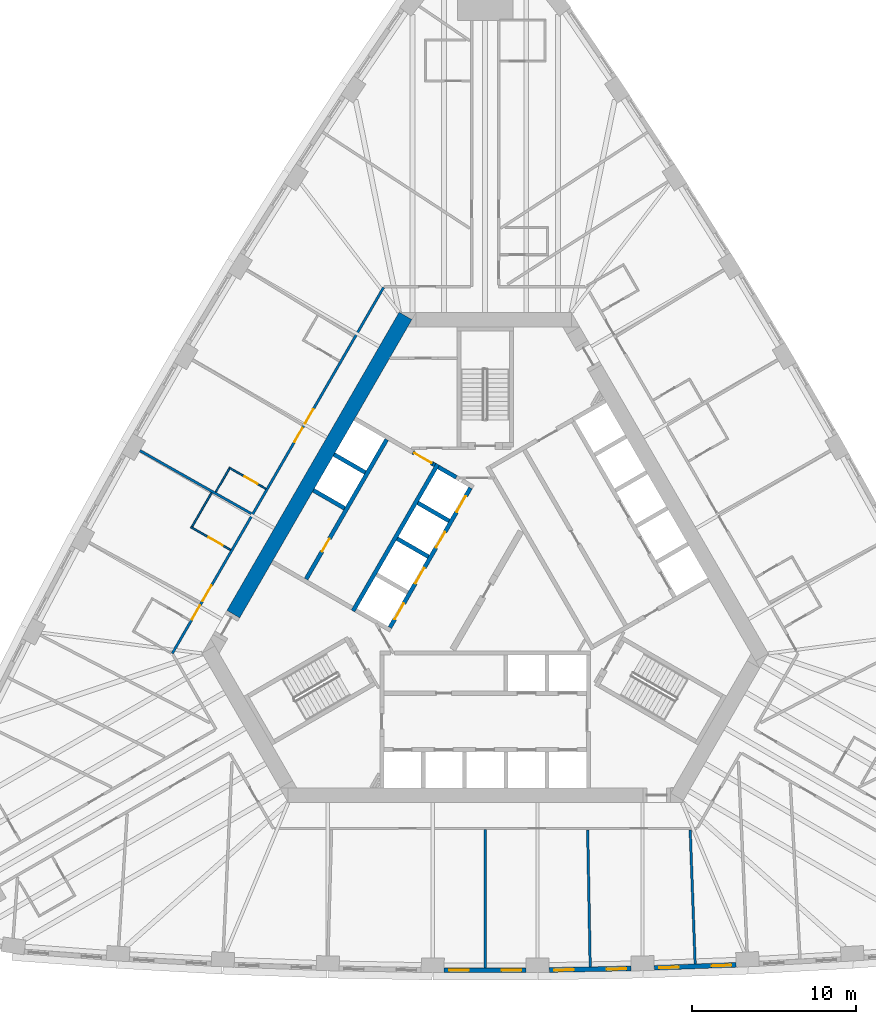
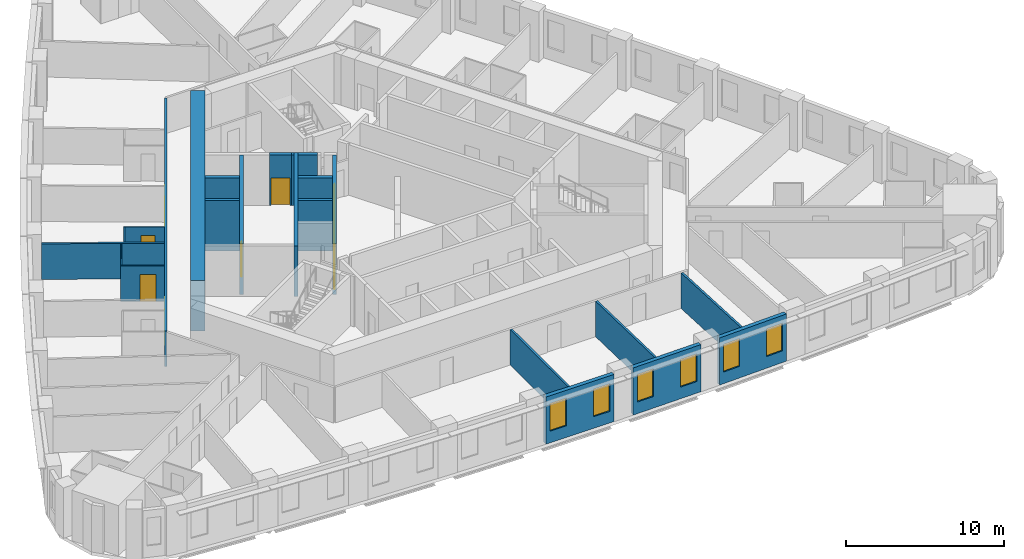
# One storey, part 5 of 12: 23 walls, 12 doors, 6 windows, 18 openings.
"""IFC4 building model written with IfcOpenShell, lengths in metres."""

from ifc_helpers import new_model, si_unit, direction, frame, frame_2d, origin, place, context, subcontext, project, spatial, polyline, rectangle, outline, extrude, material, layer, layer_set, type_object, element, fill, save


model = new_model("IFC4")

# Units and contexts
model_context = context("Model", 3, precision=1e-05, world=origin(), true_north=direction((0.0, 1.0)))
body_context = subcontext(model_context, "Body", "Model", "MODEL_VIEW")
ifc_project = project(units=[si_unit("LENGTHUNIT", "METRE"), si_unit("AREAUNIT", "SQUARE_METRE"), si_unit("VOLUMEUNIT", "CUBIC_METRE"), si_unit("PLANEANGLEUNIT", "RADIAN"), si_unit("MASSUNIT", "GRAM", prefix="KILO")], contexts=[model_context])

# Site, building, storey
site_placement = place(None, origin())
site = spatial("IfcSite", under=ifc_project, at=site_placement, CompositionType="ELEMENT")
building_placement = place(site_placement, origin())
building = spatial("IfcBuilding", under=site, at=building_placement, Name="Mestral Congress Tower", CompositionType="ELEMENT")
storey_placement = place(building_placement, frame((0.0, 0.0, 39.300048828125)))
storey = spatial("IfcBuildingStorey", under=building, at=storey_placement, Name="L08", CompositionType="ELEMENT", Elevation=39.300048828125)

# Wall
ifc_material_1 = material(Name="Concrete C60/75", Category="concrete")
ifc_layer_1 = layer(ifc_material_1, 0.89990234375)
ifc_layer_set_1 = layer_set([ifc_layer_1], Name="Concrete C60/75")
wall_type_1 = type_object("IfcWallType", Name="Core wall RC 900", PredefinedType="SOLIDWALL", material=ifc_layer_set_1)
wall_1_placement = place(storey_placement, frame((-15.359619140625, -1.50341796875, 0.0), z_axis=(0.0, 0.0, 1.0), x_axis=(0.50000389221, 0.866023156604, 0.0)))
element("IfcWall", 1, at=wall_1_placement, inside=storey, type_object=wall_type_1, Name="L08 core wall", PredefinedType="SOLIDWALL", context=body_context, shape_type="SweptSolid", body=[
    extrude(rectangle(XDim=21.000244140625, YDim=0.89990234375, at=frame_2d((10.5, 0.0))), origin(), (0.0, 0.0, 1.0), 3.89990234375),
])

# Wall, openings, windows
ifc_material_2 = material(Name="Precast concrete C40/50 with limestone facing", Category="masonry")
ifc_layer_2 = layer(ifc_material_2, 0.2900390625)
ifc_layer_set_2 = layer_set([ifc_layer_2], Name="Precast concrete C40/50 with limestone facing")
wall_type_2 = type_object("IfcWallType", Name="Facade stone wall 290", PredefinedType="SOLIDWALL", material=ifc_layer_set_2)
wall_2_placement = place(storey_placement, frame((-2.4990234375, -23.21826171875, 0.0), z_axis=(0.0, 0.0, 1.0), x_axis=(1.0, 0.0, 0.0)))
wall_2 = element("IfcWall", 2, at=wall_2_placement, inside=storey, type_object=wall_type_2, Name="Facade wall F0-04", PredefinedType="SOLIDWALL", context=body_context, shape_type="SweptSolid", body=[
    extrude(rectangle(XDim=4.998046875, YDim=0.2900390625, at=frame_2d((2.4990234375, 0.0))), origin(), (0.0, 0.0, 1.0), 3.64990234375),
])
opening_1_placement = place(wall_2_placement, frame((0.297119140625, 0.0, 0.89990234375)))
opening_1 = element("IfcOpeningElement", 3, at=opening_1_placement, cuts=wall_2, Name="Opening W1", PredefinedType="OPENING", context=body_context, shape_type="SweptSolid", body=[
    extrude(rectangle(XDim=1.199951171875, YDim=2.14990234375, at=frame_2d((0.60009765625, 1.074951171875))), frame((0.0, 0.155029296875, 0.0), z_axis=(0.0, -1.0, 0.0), x_axis=(1.0, 0.0, 0.0)), (0.0, 0.0, 1.0), 0.31005859375),
])
opening_2_placement = place(wall_2_placement, frame((3.501220703125, 0.0, 0.89990234375)))
opening_2 = element("IfcOpeningElement", 4, at=opening_2_placement, cuts=wall_2, Name="Opening W1", PredefinedType="OPENING", context=body_context, shape_type="SweptSolid", body=[
    extrude(rectangle(XDim=1.199951171875, YDim=2.14990234375, at=frame_2d((0.60009765625, 1.074951171875))), frame((0.0, 0.155029296875, 0.0), z_axis=(0.0, -1.0, 0.0), x_axis=(1.0, 0.0, 0.0)), (0.0, 0.0, 1.0), 0.31005859375),
])
ifc_material_3 = material(Name="Clear low-emissivity double glazing", Category="glass")
window_type = type_object("IfcWindowType", Name="Facade punched window 1200 x 2150 sill 900", PartitioningType="DOUBLE_PANEL_VERTICAL", PredefinedType="WINDOW", material=ifc_material_3)
window_1_placement = place(opening_1_placement, origin())
window_1 = element("IfcWindow", 5, at=window_1_placement, inside=storey, type_object=window_type, Name="Window F0-04a", OverallHeight=2.14990234375, OverallWidth=1.199951171875, PartitioningType="DOUBLE_PANEL_VERTICAL", PredefinedType="WINDOW", context=body_context, shape_type="SweptSolid", body=[
    extrude(rectangle(XDim=1.199951171875, YDim=2.14990234375, at=frame_2d((0.60009765625, 1.074951171875))), frame((0.0, 0.01513671875, 0.0), z_axis=(0.0, -1.0, 0.0), x_axis=(1.0, 0.0, 0.0)), (0.0, 0.0, 1.0), 0.06005859375),
])
fill(opening_1, window_1)
window_2_placement = place(opening_2_placement, origin())
window_2 = element("IfcWindow", 6, at=window_2_placement, inside=storey, type_object=window_type, Name="Window F0-04b", OverallHeight=2.14990234375, OverallWidth=1.199951171875, PartitioningType="DOUBLE_PANEL_VERTICAL", PredefinedType="WINDOW", context=body_context, shape_type="SweptSolid", body=[
    extrude(rectangle(XDim=1.199951171875, YDim=2.14990234375, at=frame_2d((0.60009765625, 1.074951171875))), frame((0.0, 0.01513671875, 0.0), z_axis=(0.0, -1.0, 0.0), x_axis=(1.0, 0.0, 0.0)), (0.0, 0.0, 1.0), 0.06005859375),
])
fill(opening_2, window_2)

wall_3_placement = place(storey_placement, frame((3.90625, -23.205078125, 0.0), z_axis=(0.0, 0.0, 1.0), x_axis=(0.999829529479, 0.018463801951, 0.0)))
wall_3 = element("IfcWall", 7, at=wall_3_placement, inside=storey, type_object=wall_type_2, Name="Facade wall F0-05", PredefinedType="SOLIDWALL", context=body_context, shape_type="SweptSolid", body=[
    extrude(rectangle(XDim=4.998046875, YDim=0.2900390625, at=frame_2d((2.4990234375, 0.0))), origin(), (0.0, 0.0, 1.0), 3.64990234375),
])
opening_3_placement = place(wall_3_placement, frame((0.297119140625, 0.0, 0.89990234375)))
opening_3 = element("IfcOpeningElement", 8, at=opening_3_placement, cuts=wall_3, Name="Opening W1", PredefinedType="OPENING", context=body_context, shape_type="SweptSolid", body=[
    extrude(rectangle(XDim=1.199951171875, YDim=2.14990234375, at=frame_2d((0.60009765625, 1.074951171875))), frame((0.0, 0.155029296875, 0.0), z_axis=(0.0, -1.0, 0.0), x_axis=(1.0, 0.0, 0.0)), (0.0, 0.0, 1.0), 0.31005859375),
])
opening_4_placement = place(wall_3_placement, frame((3.501220703125, 0.0, 0.89990234375)))
opening_4 = element("IfcOpeningElement", 9, at=opening_4_placement, cuts=wall_3, Name="Opening W1", PredefinedType="OPENING", context=body_context, shape_type="SweptSolid", body=[
    extrude(rectangle(XDim=1.199951171875, YDim=2.14990234375, at=frame_2d((0.60009765625, 1.074951171875))), frame((0.0, 0.155029296875, 0.0), z_axis=(0.0, -1.0, 0.0), x_axis=(1.0, 0.0, 0.0)), (0.0, 0.0, 1.0), 0.31005859375),
])
window_3_placement = place(opening_3_placement, origin())
window_3 = element("IfcWindow", 10, at=window_3_placement, inside=storey, type_object=window_type, Name="Window F0-05a", OverallHeight=2.14990234375, OverallWidth=1.199951171875, PartitioningType="DOUBLE_PANEL_VERTICAL", PredefinedType="WINDOW", context=body_context, shape_type="SweptSolid", body=[
    extrude(rectangle(XDim=1.199951171875, YDim=2.14990234375, at=frame_2d((0.60009765625, 1.074951171875))), frame((0.0, 0.01513671875, 0.0), z_axis=(0.0, -1.0, 0.0), x_axis=(1.0, 0.0, 0.0)), (0.0, 0.0, 1.0), 0.06005859375),
])
fill(opening_3, window_3)
window_4_placement = place(opening_4_placement, origin())
window_4 = element("IfcWindow", 11, at=window_4_placement, inside=storey, type_object=window_type, Name="Window F0-05b", OverallHeight=2.14990234375, OverallWidth=1.199951171875, PartitioningType="DOUBLE_PANEL_VERTICAL", PredefinedType="WINDOW", context=body_context, shape_type="SweptSolid", body=[
    extrude(rectangle(XDim=1.199951171875, YDim=2.14990234375, at=frame_2d((0.60009765625, 1.074951171875))), frame((0.0, 0.01513671875, 0.0), z_axis=(0.0, -1.0, 0.0), x_axis=(1.0, 0.0, 0.0)), (0.0, 0.0, 1.0), 0.06005859375),
])
fill(opening_4, window_4)

wall_4_placement = place(storey_placement, frame((10.310302734375, -23.07373046875, 0.0), z_axis=(0.0, 0.0, 1.0), x_axis=(0.999317974969, 0.036926750529, 0.0)))
wall_4 = element("IfcWall", 12, at=wall_4_placement, inside=storey, type_object=wall_type_2, Name="Facade wall F0-06", PredefinedType="SOLIDWALL", context=body_context, shape_type="SweptSolid", body=[
    extrude(rectangle(XDim=4.998291015625, YDim=0.2900390625, at=frame_2d((2.4990234375, 0.0))), origin(), (0.0, 0.0, 1.0), 3.64990234375),
])
opening_5_placement = place(wall_4_placement, frame((0.297119140625, 0.0, 0.89990234375)))
opening_5 = element("IfcOpeningElement", 13, at=opening_5_placement, cuts=wall_4, Name="Opening W1", PredefinedType="OPENING", context=body_context, shape_type="SweptSolid", body=[
    extrude(rectangle(XDim=1.199951171875, YDim=2.14990234375, at=frame_2d((0.60009765625, 1.074951171875))), frame((0.0, 0.155029296875, 0.0), z_axis=(0.0, -1.0, 0.0), x_axis=(1.0, 0.0, 0.0)), (0.0, 0.0, 1.0), 0.31005859375),
])
opening_6_placement = place(wall_4_placement, frame((3.501220703125, 0.0, 0.89990234375)))
opening_6 = element("IfcOpeningElement", 14, at=opening_6_placement, cuts=wall_4, Name="Opening W1", PredefinedType="OPENING", context=body_context, shape_type="SweptSolid", body=[
    extrude(rectangle(XDim=1.199951171875, YDim=2.14990234375, at=frame_2d((0.60009765625, 1.074951171875))), frame((0.0, 0.155029296875, 0.0), z_axis=(0.0, -1.0, 0.0), x_axis=(1.0, 0.0, 0.0)), (0.0, 0.0, 1.0), 0.31005859375),
])
window_5_placement = place(opening_5_placement, origin())
window_5 = element("IfcWindow", 15, at=window_5_placement, inside=storey, type_object=window_type, Name="Window F0-06a", OverallHeight=2.14990234375, OverallWidth=1.199951171875, PartitioningType="DOUBLE_PANEL_VERTICAL", PredefinedType="WINDOW", context=body_context, shape_type="SweptSolid", body=[
    extrude(rectangle(XDim=1.199951171875, YDim=2.14990234375, at=frame_2d((0.60009765625, 1.074951171875))), frame((0.0, 0.01513671875, 0.0), z_axis=(0.0, -1.0, 0.0), x_axis=(1.0, 0.0, 0.0)), (0.0, 0.0, 1.0), 0.06005859375),
])
fill(opening_5, window_5)
window_6_placement = place(opening_6_placement, origin())
window_6 = element("IfcWindow", 16, at=window_6_placement, inside=storey, type_object=window_type, Name="Window F0-06b", OverallHeight=2.14990234375, OverallWidth=1.199951171875, PartitioningType="DOUBLE_PANEL_VERTICAL", PredefinedType="WINDOW", context=body_context, shape_type="SweptSolid", body=[
    extrude(rectangle(XDim=1.199951171875, YDim=2.14990234375, at=frame_2d((0.60009765625, 1.074951171875))), frame((0.0, 0.01513671875, 0.0), z_axis=(0.0, -1.0, 0.0), x_axis=(1.0, 0.0, 0.0)), (0.0, 0.0, 1.0), 0.06005859375),
])
fill(opening_6, window_6)

# Wall, opening, door
ifc_material_4 = material(Name="Gypsum board partition on metal studs with mineral wool", Category="composite")
ifc_layer_3 = layer(ifc_material_4, 0.10009765625)
ifc_layer_set_3 = layer_set([ifc_layer_3], Name="Gypsum board partition on metal studs with mineral wool")
wall_type_3 = type_object("IfcWallType", Name="Hotel partition wall 100", PredefinedType="PARTITIONING", material=ifc_layer_set_3)
wall_5_placement = place(storey_placement, frame((-13.37255859375, 6.13818359375, 0.0), z_axis=(0.0, 0.0, 1.0), x_axis=(-0.866062058628, 0.499936506574, 0.0)))
wall_5 = element("IfcWall", 17, at=wall_5_placement, inside=storey, type_object=wall_type_3, Name="L08-h-pod22a", PredefinedType="PARTITIONING", context=body_context, shape_type="SweptSolid", body=[
    extrude(rectangle(XDim=2.599853515625, YDim=0.10009765625, at=frame_2d((1.2998046875, 0.0))), origin(), (0.0, 0.0, 1.0), 2.75),
])
opening_7_placement = place(wall_5_placement, frame((0.60009765625, 0.0, 0.0)))
opening_7 = element("IfcOpeningElement", 18, at=opening_7_placement, cuts=wall_5, Name="Opening H02-036", PredefinedType="OPENING", context=body_context, shape_type="SweptSolid", body=[
    extrude(rectangle(XDim=0.89990234375, YDim=2.10009765625, at=frame_2d((0.449951171875, 1.050048828125))), frame((0.0, 0.06005859375, 0.0), z_axis=(0.0, -1.0, 0.0), x_axis=(1.0, 0.0, 0.0)), (0.0, 0.0, 1.0), 0.1201171875),
])
ifc_material_5 = material(Name="Timber veneer door leaf in timber frame", Category="wood")
door_type_1 = type_object("IfcDoorType", Name="Bathroom door 900", OperationType="SINGLE_SWING_LEFT", PredefinedType="DOOR", material=ifc_material_5)
door_1_placement = place(opening_7_placement, origin())
door_1 = element("IfcDoor", 19, at=door_1_placement, inside=storey, type_object=door_type_1, Name="L08-h-d036", OperationType="SINGLE_SWING_LEFT", OverallHeight=2.10009765625, OverallWidth=0.89990234375, PredefinedType="DOOR", context=body_context, shape_type="SweptSolid", body=[
    extrude(rectangle(XDim=0.89990234375, YDim=2.10009765625, at=frame_2d((0.449951171875, 1.050048828125))), frame((0.0, 0.02490234375, 0.0), z_axis=(0.0, -1.0, 0.0), x_axis=(1.0, 0.0, 0.0)), (0.0, 0.0, 1.0), 0.050048828125),
])
fill(opening_7, door_1)

# Wall
wall_6_placement = place(storey_placement, frame((-15.60595703125, 7.369873046875, 0.0), z_axis=(0.0, 0.0, 1.0), x_axis=(-0.499974350878, -0.866040211805, 0.0)))
element("IfcWall", 20, at=wall_6_placement, inside=storey, type_object=wall_type_3, Name="L08-h-pod22b", PredefinedType="PARTITIONING", context=body_context, shape_type="SweptSolid", body=[
    extrude(rectangle(XDim=1.64990234375, YDim=0.10009765625, at=frame_2d((0.824951171875, 0.0))), origin(), (0.0, 0.0, 1.0), 2.75),
])

# Wall, opening, door
wall_7_placement = place(storey_placement, frame((-17.950927734375, 3.80810546875, 0.0), z_axis=(0.0, 0.0, 1.0), x_axis=(0.866034573852, -0.49998411664, 0.0)))
wall_7 = element("IfcWall", 21, at=wall_7_placement, inside=storey, type_object=wall_type_3, Name="L08-h-pod23a", PredefinedType="PARTITIONING", context=body_context, shape_type="SweptSolid", body=[
    extrude(rectangle(XDim=2.7998046875, YDim=0.10009765625, at=frame_2d((1.39990234375, 0.0))), origin(), (0.0, 0.0, 1.0), 2.75),
])
opening_8_placement = place(wall_7_placement, frame((1.25, 0.0, 0.0)))
opening_8 = element("IfcOpeningElement", 22, at=opening_8_placement, cuts=wall_7, Name="Opening H02-038", PredefinedType="OPENING", context=body_context, shape_type="SweptSolid", body=[
    extrude(rectangle(XDim=1.0, YDim=2.10009765625, at=frame_2d((0.5, 1.050048828125))), frame((0.0, 0.06005859375, 0.0), z_axis=(0.0, -1.0, 0.0), x_axis=(1.0, 0.0, 0.0)), (0.0, 0.0, 1.0), 0.1201171875),
])
door_type_2 = type_object("IfcDoorType", Name="Accessible bathroom door 1000", OperationType="SINGLE_SWING_LEFT", PredefinedType="DOOR", material=ifc_material_5)
door_2_placement = place(opening_8_placement, origin())
door_2 = element("IfcDoor", 23, at=door_2_placement, inside=storey, type_object=door_type_2, Name="L08-h-d038", OperationType="SINGLE_SWING_LEFT", OverallHeight=2.10009765625, OverallWidth=1.0, PredefinedType="DOOR", context=body_context, shape_type="SweptSolid", body=[
    extrude(rectangle(XDim=1.0, YDim=2.10009765625, at=frame_2d((0.5, 1.050048828125))), frame((0.0, 0.02490234375, 0.0), z_axis=(0.0, -1.0, 0.0), x_axis=(1.0, 0.0, 0.0)), (0.0, 0.0, 1.0), 0.050048828125),
])
fill(opening_8, door_2)

# Wall
wall_8_placement = place(storey_placement, frame((-17.877685546875, 3.835205078125, 0.0), z_axis=(0.0, 0.0, 1.0), x_axis=(0.500061428766, 0.865989934965, 0.0)))
element("IfcWall", 24, at=wall_8_placement, inside=storey, type_object=wall_type_3, Name="L08-h-pod23b", PredefinedType="PARTITIONING", context=body_context, shape_type="SweptSolid", body=[
    extrude(rectangle(XDim=2.389892578125, YDim=0.10009765625, at=frame_2d((1.19482421875, 0.0))), origin(), (0.0, 0.0, 1.0), 2.75),
])

# Wall, openings, doors
ifc_layer_4 = layer(ifc_material_4, 0.14990234375)
ifc_layer_set_4 = layer_set([ifc_layer_4], Name="Gypsum board partition on metal studs with mineral wool")
wall_type_4 = type_object("IfcWallType", Name="Hotel partition wall 150", PredefinedType="PARTITIONING", material=ifc_layer_set_4)
wall_9_placement = place(storey_placement, frame((-19.081298828125, -3.89990234375, 0.0), z_axis=(0.0, 0.0, 1.0), x_axis=(0.499998313975, 0.866026377209, 0.0)))
wall_9 = element("IfcWall", 25, at=wall_9_placement, inside=storey, type_object=wall_type_4, Name="L08-h-cw08", PredefinedType="PARTITIONING", context=body_context, shape_type="SweptSolid", body=[
    extrude(rectangle(XDim=25.76611328125, YDim=0.14990234375, at=frame_2d((12.883056640625, 0.0))), origin(), (0.0, 0.0, 1.0), 2.75),
])
opening_9_placement = place(wall_9_placement, frame((16.19580078125, 0.0, 0.0)))
opening_9 = element("IfcOpeningElement", 26, at=opening_9_placement, cuts=wall_9, Name="Opening H02-033", PredefinedType="OPENING", context=body_context, shape_type="SweptSolid", body=[
    extrude(rectangle(XDim=1.0, YDim=2.10009765625, at=frame_2d((0.5, 1.050048828125))), frame((0.0, 0.0849609375, 0.0), z_axis=(0.0, -1.0, 0.0), x_axis=(1.0, 0.0, 0.0)), (0.0, 0.0, 1.0), 0.169921875),
])
opening_10_placement = place(wall_9_placement, frame((14.888671875, 0.0, 0.0)))
opening_10 = element("IfcOpeningElement", 27, at=opening_10_placement, cuts=wall_9, Name="Opening H02-035", PredefinedType="OPENING", context=body_context, shape_type="SweptSolid", body=[
    extrude(rectangle(XDim=1.0, YDim=2.10009765625, at=frame_2d((0.5, 1.050048828125))), frame((0.0, 0.0849609375, 0.0), z_axis=(0.0, -1.0, 0.0), x_axis=(1.0, 0.0, 0.0)), (0.0, 0.0, 1.0), 0.169921875),
])
opening_11_placement = place(wall_9_placement, frame((3.6982421875, 0.0, 0.0)))
opening_11 = element("IfcOpeningElement", 28, at=opening_11_placement, cuts=wall_9, Name="Opening H02-037", PredefinedType="OPENING", context=body_context, shape_type="SweptSolid", body=[
    extrude(rectangle(XDim=1.10009765625, YDim=2.10009765625, at=frame_2d((0.550048828125, 1.050048828125))), frame((0.0, 0.0849609375, 0.0), z_axis=(0.0, -1.0, 0.0), x_axis=(1.0, 0.0, 0.0)), (0.0, 0.0, 1.0), 0.169921875),
])
opening_12_placement = place(wall_9_placement, frame((2.3916015625, 0.0, 0.0)))
opening_12 = element("IfcOpeningElement", 29, at=opening_12_placement, cuts=wall_9, Name="Opening H02-039", PredefinedType="OPENING", context=body_context, shape_type="SweptSolid", body=[
    extrude(rectangle(XDim=1.0, YDim=2.10009765625, at=frame_2d((0.5, 1.050048828125))), frame((0.0, 0.0849609375, 0.0), z_axis=(0.0, -1.0, 0.0), x_axis=(1.0, 0.0, 0.0)), (0.0, 0.0, 1.0), 0.169921875),
])
ifc_material_6 = material(Name="Timber veneer door leaf in metal frame", Category="wood")
door_type_3 = type_object("IfcDoorType", Name="Accessible room entrance door 1100", OperationType="SINGLE_SWING_LEFT", PredefinedType="DOOR", material=ifc_material_6)
door_3_placement = place(opening_11_placement, origin())
door_3 = element("IfcDoor", 30, at=door_3_placement, inside=storey, type_object=door_type_3, Name="L08-h-d037", OperationType="SINGLE_SWING_LEFT", OverallHeight=2.10009765625, OverallWidth=1.10009765625, PredefinedType="DOOR", context=body_context, shape_type="SweptSolid", body=[
    extrude(rectangle(XDim=1.10009765625, YDim=2.10009765625, at=frame_2d((0.550048828125, 1.050048828125))), frame((0.0, 0.02490234375, 0.0), z_axis=(0.0, -1.0, 0.0), x_axis=(1.0, 0.0, 0.0)), (0.0, 0.0, 1.0), 0.050048828125),
])
fill(opening_11, door_3)
door_type_4 = type_object("IfcDoorType", Name="Guest room entrance door 1000", OperationType="SINGLE_SWING_LEFT", PredefinedType="DOOR", material=ifc_material_6)
door_4_placement = place(opening_9_placement, origin())
door_4 = element("IfcDoor", 31, at=door_4_placement, inside=storey, type_object=door_type_4, Name="L08-h-d033", OperationType="SINGLE_SWING_LEFT", OverallHeight=2.10009765625, OverallWidth=1.0, PredefinedType="DOOR", context=body_context, shape_type="SweptSolid", body=[
    extrude(rectangle(XDim=1.0, YDim=2.10009765625, at=frame_2d((0.5, 1.050048828125))), frame((0.0, 0.02490234375, 0.0), z_axis=(0.0, -1.0, 0.0), x_axis=(1.0, 0.0, 0.0)), (0.0, 0.0, 1.0), 0.050048828125),
])
fill(opening_9, door_4)
door_5_placement = place(opening_10_placement, origin())
door_5 = element("IfcDoor", 32, at=door_5_placement, inside=storey, type_object=door_type_4, Name="L08-h-d035", OperationType="SINGLE_SWING_RIGHT", OverallHeight=2.10009765625, OverallWidth=1.0, PredefinedType="DOOR", context=body_context, shape_type="SweptSolid", body=[
    extrude(rectangle(XDim=1.0, YDim=2.10009765625, at=frame_2d((0.5, 1.050048828125))), frame((0.0, 0.02490234375, 0.0), z_axis=(0.0, -1.0, 0.0), x_axis=(1.0, 0.0, 0.0)), (0.0, 0.0, 1.0), 0.050048828125),
])
fill(opening_10, door_5)
door_6_placement = place(opening_12_placement, origin())
door_6 = element("IfcDoor", 33, at=door_6_placement, inside=storey, type_object=door_type_4, Name="L08-h-d039", OperationType="SINGLE_SWING_RIGHT", OverallHeight=2.10009765625, OverallWidth=1.0, PredefinedType="DOOR", context=body_context, shape_type="SweptSolid", body=[
    extrude(rectangle(XDim=1.0, YDim=2.10009765625, at=frame_2d((0.5, 1.050048828125))), frame((0.0, 0.02490234375, 0.0), z_axis=(0.0, -1.0, 0.0), x_axis=(1.0, 0.0, 0.0)), (0.0, 0.0, 1.0), 0.050048828125),
])
fill(opening_12, door_6)

# Walls
wall_10_placement = place(storey_placement, frame((-21.051513671875, 8.464111328125, 0.0), z_axis=(0.0, 0.0, 1.0), x_axis=(0.87059371954, -0.492002617368, 0.0)))
element("IfcWall", 34, at=wall_10_placement, inside=storey, type_object=wall_type_4, Name="L08-h-pw08", PredefinedType="PARTITIONING", context=body_context, shape_type="SweptSolid", body=[
    extrude(rectangle(XDim=7.803466796875, YDim=0.14990234375, at=frame_2d((3.90185546875, 0.0))), origin(), (0.0, 0.0, 1.0), 2.75),
])
wall_11_placement = place(storey_placement, frame((0.0, -23.0732421875, 0.0), z_axis=(0.0, 0.0, 1.0), x_axis=(0.0, 1.0, 0.0)))
element("IfcWall", 35, at=wall_11_placement, inside=storey, type_object=wall_type_4, Name="L08-h-pw14", PredefinedType="PARTITIONING", context=body_context, shape_type="SweptSolid", body=[
    extrude(rectangle(XDim=8.42333984375, YDim=0.14990234375, at=frame_2d((4.211669921875, 0.0))), origin(), (0.0, 0.0, 1.0), 2.75),
])
wall_12_placement = place(storey_placement, frame((6.40234375, -23.013916015625, 0.0), z_axis=(0.0, 0.0, 1.0), x_axis=(-0.01849587109, 0.999828936745, 0.0)))
element("IfcWall", 36, at=wall_12_placement, inside=storey, type_object=wall_type_4, Name="L08-h-pw17", PredefinedType="PARTITIONING", context=body_context, shape_type="SweptSolid", body=[
    extrude(rectangle(XDim=8.35546875, YDim=0.14990234375, at=frame_2d((4.177734375, 0.0))), origin(), (0.0, 0.0, 1.0), 2.75),
])
wall_13_placement = place(storey_placement, frame((12.802490234375, -22.83642578125, 0.0), z_axis=(0.0, 0.0, 1.0), x_axis=(-0.036969723281, 0.999316386116, 0.0)))
element("IfcWall", 37, at=wall_13_placement, inside=storey, type_object=wall_type_4, Name="L08-h-pw20", PredefinedType="PARTITIONING", context=body_context, shape_type="SweptSolid", body=[
    extrude(rectangle(XDim=8.18212890625, YDim=0.14990234375, at=frame_2d((4.091064453125, 0.0))), origin(), (0.0, 0.0, 1.0), 2.75),
])
ifc_layer_5 = layer(ifc_material_1, 0.25)
ifc_layer_set_5 = layer_set([ifc_layer_5], Name="Concrete C60/75")
wall_type_5 = type_object("IfcWallType", Name="Shaft wall RC 250", PredefinedType="SOLIDWALL", material=ifc_layer_set_5)
wall_14_placement = place(storey_placement, frame((-8.06005859375, -1.310546875, 0.0), z_axis=(0.0, 0.0, 1.0), x_axis=(0.50000273126, 0.866023826885, 0.0)))
element("IfcWall", 38, at=wall_14_placement, inside=storey, type_object=wall_type_5, Name="L08 core wall", PredefinedType="SOLIDWALL", context=body_context, shape_type="SweptSolid", body=[
    extrude(rectangle(XDim=10.330078125, YDim=0.25, at=frame_2d((5.1650390625, 0.0))), origin(), (0.0, 0.0, 1.0), 3.89990234375),
])
wall_15_placement = place(storey_placement, frame((-1.760009765625, 6.835693359375, 0.0), z_axis=(0.0, 0.0, 1.0), x_axis=(-0.865952863304, 0.500125622755, 0.0)))
element("IfcWall", 39, at=wall_15_placement, inside=storey, type_object=wall_type_5, Name="L08 core wall", PredefinedType="SOLIDWALL", context=body_context, shape_type="SweptSolid", body=[
    extrude(rectangle(XDim=1.258056640625, YDim=0.25, at=frame_2d((0.62890625, 0.0))), origin(), (0.0, 0.0, 1.0), 3.89990234375),
])
for number, where, z_axis, x_axis, name in (
    (40, (-2.2041015625, 4.182373046875, 0.0), (0.0, 0.0, 1.0), (-0.866008176907, 0.50002983664, 0.0), "L08 core wall"),
    (41, (-5.369384765625, 3.10009765625, 0.0), (0.0, 0.0, 1.0), (0.866008176907, -0.50002983664, 0.0), "L08 core wall"),
):
    element("IfcWall", number, at=place(storey_placement, frame(where, z_axis=z_axis, x_axis=x_axis)), inside=storey, type_object=wall_type_5, Name=name, PredefinedType="SOLIDWALL", context=body_context, shape_type="SweptSolid", body=[
        extrude(rectangle(XDim=2.199951171875, YDim=0.25, at=frame_2d((1.10009765625, 0.0))), origin(), (0.0, 0.0, 1.0), 3.89990234375),
    ])
wall_16_placement = place(storey_placement, origin())
element("IfcWall", 42, at=wall_16_placement, inside=storey, type_object=wall_type_5, Name="L08 core wall", PredefinedType="SOLIDWALL", context=body_context, shape_type="SweptSolid", body=[
    extrude(outline(polyline([(-3.12841796875, 7.4814453125), (-3.2587890625, 7.556640625), (-3.1337890625, 7.773193359375), (-3.00341796875, 7.697998046875), (-3.12841796875, 7.4814453125)])), origin(), (0.0, 0.0, 1.0), 3.89990234375),
])
for number, where, z_axis, x_axis, name in (
    (43, (-8.57373046875, 4.949951171875, 0.0), (0.0, 0.0, 1.0), (-0.866008176907, 0.50002983664, 0.0), "L08 core wall"),
    (44, (-7.313720703125, 7.13232421875, 0.0), (0.0, 0.0, 1.0), (-0.866008176907, 0.50002983664, 0.0), "L08 core wall"),
):
    element("IfcWall", number, at=place(storey_placement, frame(where, z_axis=z_axis, x_axis=x_axis)), inside=storey, type_object=wall_type_5, Name=name, PredefinedType="SOLIDWALL", context=body_context, shape_type="SweptSolid", body=[
        extrude(rectangle(XDim=2.199951171875, YDim=0.25, at=frame_2d((1.10009765625, 0.0))), origin(), (0.0, 0.0, 1.0), 3.89990234375),
    ])

# Wall, opening, door
wall_17_placement = place(storey_placement, frame((-6.0078125, 9.14404296875, 0.0), z_axis=(0.0, 0.0, 1.0), x_axis=(-0.500006956611, -0.866021387346, 0.0)))
wall_17 = element("IfcWall", 45, at=wall_17_placement, inside=storey, type_object=wall_type_5, Name="L08 door wall", PredefinedType="SOLIDWALL", context=body_context, shape_type="SweptSolid", body=[
    extrude(rectangle(XDim=9.829833984375, YDim=0.25, at=frame_2d((4.9150390625, 0.0))), origin(), (0.0, 0.0, 1.0), 3.89990234375),
])
opening_13_placement = place(wall_17_placement, frame((6.985107421875, 0.0, 0.0)))
opening_13 = element("IfcOpeningElement", 46, at=opening_13_placement, cuts=wall_17, Name="Opening SR-NWA2", PredefinedType="OPENING", context=body_context, shape_type="SweptSolid", body=[
    extrude(rectangle(XDim=0.89990234375, YDim=2.10009765625, at=frame_2d((0.449951171875, 1.050048828125))), frame((0.0, 0.135009765625, 0.0), z_axis=(0.0, -1.0, 0.0), x_axis=(1.0, 0.0, 0.0)), (0.0, 0.0, 1.0), 0.27001953125),
])
ifc_material_7 = material(Name="Fire-rated steel door set", Category="steel")
door_type_5 = type_object("IfcDoorType", Name="Core door SR 900x2100", OperationType="SINGLE_SWING_LEFT", PredefinedType="DOOR", material=ifc_material_7)
door_7_placement = place(opening_13_placement, origin())
door_7 = element("IfcDoor", 47, at=door_7_placement, inside=storey, type_object=door_type_5, Name="Door SR-NWA2", OperationType="SINGLE_SWING_LEFT", OverallHeight=2.10009765625, OverallWidth=0.89990234375, PredefinedType="DOOR", context=body_context, shape_type="SweptSolid", body=[
    extrude(rectangle(XDim=0.89990234375, YDim=2.10009765625, at=frame_2d((0.449951171875, 1.050048828125))), frame((0.0, 0.02490234375, 0.0), z_axis=(0.0, -1.0, 0.0), x_axis=(1.0, 0.0, 0.0)), (0.0, 0.0, 1.0), 0.050048828125),
])
fill(opening_13, door_7)

# Wall, openings, doors
wall_18_placement = place(storey_placement, frame((-0.898193359375, 6.194091796875, 0.0), z_axis=(0.0, 0.0, 1.0), x_axis=(-0.499996202215, -0.866027596426, 0.0)))
wall_18 = element("IfcWall", 48, at=wall_18_placement, inside=storey, type_object=wall_type_5, Name="L08 door wall", PredefinedType="SOLIDWALL", context=body_context, shape_type="SweptSolid", body=[
    extrude(rectangle(XDim=9.830078125, YDim=0.25, at=frame_2d((4.9150390625, 0.0))), origin(), (0.0, 0.0, 1.0), 3.89990234375),
])
opening_14_placement = place(wall_18_placement, frame((0.5849609375, 0.0, 0.0)))
opening_14 = element("IfcOpeningElement", 49, at=opening_14_placement, cuts=wall_18, Name="Opening LD-NWB1", PredefinedType="OPENING", context=body_context, shape_type="SweptSolid", body=[
    extrude(rectangle(XDim=1.10009765625, YDim=2.10009765625, at=frame_2d((0.550048828125, 1.050048828125))), frame((0.0, 0.135009765625, 0.0), z_axis=(0.0, -1.0, 0.0), x_axis=(1.0, 0.0, 0.0)), (0.0, 0.0, 1.0), 0.27001953125),
])
opening_15_placement = place(wall_18_placement, frame((3.10498046875, 0.0, 0.0)))
opening_15 = element("IfcOpeningElement", 50, at=opening_15_placement, cuts=wall_18, Name="Opening LD-NWB2", PredefinedType="OPENING", context=body_context, shape_type="SweptSolid", body=[
    extrude(rectangle(XDim=1.10009765625, YDim=2.10009765625, at=frame_2d((0.550048828125, 1.050048828125))), frame((0.0, 0.135009765625, 0.0), z_axis=(0.0, -1.0, 0.0), x_axis=(1.0, 0.0, 0.0)), (0.0, 0.0, 1.0), 0.27001953125),
])
opening_16_placement = place(wall_18_placement, frame((5.625, 0.0, 0.0)))
opening_16 = element("IfcOpeningElement", 51, at=opening_16_placement, cuts=wall_18, Name="Opening LD-NWB3", PredefinedType="OPENING", context=body_context, shape_type="SweptSolid", body=[
    extrude(rectangle(XDim=1.10009765625, YDim=2.10009765625, at=frame_2d((0.550048828125, 1.050048828125))), frame((0.0, 0.135009765625, 0.0), z_axis=(0.0, -1.0, 0.0), x_axis=(1.0, 0.0, 0.0)), (0.0, 0.0, 1.0), 0.27001953125),
])
opening_17_placement = place(wall_18_placement, frame((8.14501953125, 0.0, 0.0)))
opening_17 = element("IfcOpeningElement", 52, at=opening_17_placement, cuts=wall_18, Name="Opening LD-NWB4", PredefinedType="OPENING", context=body_context, shape_type="SweptSolid", body=[
    extrude(rectangle(XDim=1.10009765625, YDim=2.10009765625, at=frame_2d((0.550048828125, 1.050048828125))), frame((0.0, 0.135009765625, 0.0), z_axis=(0.0, -1.0, 0.0), x_axis=(1.0, 0.0, 0.0)), (0.0, 0.0, 1.0), 0.27001953125),
])
door_type_6 = type_object("IfcDoorType", Name="Core door LD 1100x2100", OperationType="DOUBLE_DOOR_SLIDING", PredefinedType="DOOR", material=ifc_material_7)
door_8_placement = place(opening_14_placement, origin())
door_8 = element("IfcDoor", 53, at=door_8_placement, inside=storey, type_object=door_type_6, Name="Door LD-NWB1", OperationType="DOUBLE_DOOR_SLIDING", OverallHeight=2.10009765625, OverallWidth=1.10009765625, PredefinedType="DOOR", context=body_context, shape_type="SweptSolid", body=[
    extrude(rectangle(XDim=1.10009765625, YDim=2.10009765625, at=frame_2d((0.550048828125, 1.050048828125))), frame((0.0, 0.02490234375, 0.0), z_axis=(0.0, -1.0, 0.0), x_axis=(1.0, 0.0, 0.0)), (0.0, 0.0, 1.0), 0.050048828125),
])
fill(opening_14, door_8)
door_9_placement = place(opening_15_placement, origin())
door_9 = element("IfcDoor", 54, at=door_9_placement, inside=storey, type_object=door_type_6, Name="Door LD-NWB2", OperationType="DOUBLE_DOOR_SLIDING", OverallHeight=2.10009765625, OverallWidth=1.10009765625, PredefinedType="DOOR", context=body_context, shape_type="SweptSolid", body=[
    extrude(rectangle(XDim=1.10009765625, YDim=2.10009765625, at=frame_2d((0.550048828125, 1.050048828125))), frame((0.0, 0.02490234375, 0.0), z_axis=(0.0, -1.0, 0.0), x_axis=(1.0, 0.0, 0.0)), (0.0, 0.0, 1.0), 0.050048828125),
])
fill(opening_15, door_9)
door_10_placement = place(opening_16_placement, origin())
door_10 = element("IfcDoor", 55, at=door_10_placement, inside=storey, type_object=door_type_6, Name="Door LD-NWB3", OperationType="DOUBLE_DOOR_SLIDING", OverallHeight=2.10009765625, OverallWidth=1.10009765625, PredefinedType="DOOR", context=body_context, shape_type="SweptSolid", body=[
    extrude(rectangle(XDim=1.10009765625, YDim=2.10009765625, at=frame_2d((0.550048828125, 1.050048828125))), frame((0.0, 0.02490234375, 0.0), z_axis=(0.0, -1.0, 0.0), x_axis=(1.0, 0.0, 0.0)), (0.0, 0.0, 1.0), 0.050048828125),
])
fill(opening_16, door_10)
door_11_placement = place(opening_17_placement, origin())
door_11 = element("IfcDoor", 56, at=door_11_placement, inside=storey, type_object=door_type_6, Name="Door LD-NWB4", OperationType="DOUBLE_DOOR_SLIDING", OverallHeight=2.10009765625, OverallWidth=1.10009765625, PredefinedType="DOOR", context=body_context, shape_type="SweptSolid", body=[
    extrude(rectangle(XDim=1.10009765625, YDim=2.10009765625, at=frame_2d((0.550048828125, 1.050048828125))), frame((0.0, 0.02490234375, 0.0), z_axis=(0.0, -1.0, 0.0), x_axis=(1.0, 0.0, 0.0)), (0.0, 0.0, 1.0), 0.050048828125),
])
fill(opening_17, door_11)

# Wall, opening, door
wall_19_placement = place(storey_placement, frame((-4.40869140625, 8.364990234375, 0.0), z_axis=(0.0, 0.0, 1.0), x_axis=(0.866034573852, -0.49998411664, 0.0)))
wall_19 = element("IfcWall", 57, at=wall_19_placement, inside=storey, type_object=wall_type_5, Name="L08 door wall", PredefinedType="SOLIDWALL", context=body_context, shape_type="SweptSolid", body=[
    extrude(rectangle(XDim=1.39990234375, YDim=0.25, at=frame_2d((0.699951171875, 0.0))), origin(), (0.0, 0.0, 1.0), 3.89990234375),
])
opening_18_placement = place(wall_19_placement, frame((0.10009765625, 0.0, 0.0)))
opening_18 = element("IfcOpeningElement", 58, at=opening_18_placement, cuts=wall_19, Name="Opening LB2-WL2", PredefinedType="OPENING", context=body_context, shape_type="SweptSolid", body=[
    extrude(rectangle(XDim=1.199951171875, YDim=2.10009765625, at=frame_2d((0.60009765625, 1.050048828125))), frame((0.0, 0.135009765625, 0.0), z_axis=(0.0, -1.0, 0.0), x_axis=(1.0, 0.0, 0.0)), (0.0, 0.0, 1.0), 0.27001953125),
])
door_type_7 = type_object("IfcDoorType", Name="Core door LB 1200x2100", OperationType="SINGLE_SWING_LEFT", PredefinedType="DOOR", material=ifc_material_7)
door_12_placement = place(opening_18_placement, origin())
door_12 = element("IfcDoor", 59, at=door_12_placement, inside=storey, type_object=door_type_7, Name="Door LB2-WL2", OperationType="SINGLE_SWING_LEFT", OverallHeight=2.10009765625, OverallWidth=1.199951171875, PredefinedType="DOOR", context=body_context, shape_type="SweptSolid", body=[
    extrude(rectangle(XDim=1.199951171875, YDim=2.10009765625, at=frame_2d((0.60009765625, 1.050048828125))), frame((0.0, 0.02490234375, 0.0), z_axis=(0.0, -1.0, 0.0), x_axis=(1.0, 0.0, 0.0)), (0.0, 0.0, 1.0), 0.050048828125),
])
fill(opening_18, door_12)

save(model, "model.ifc")
